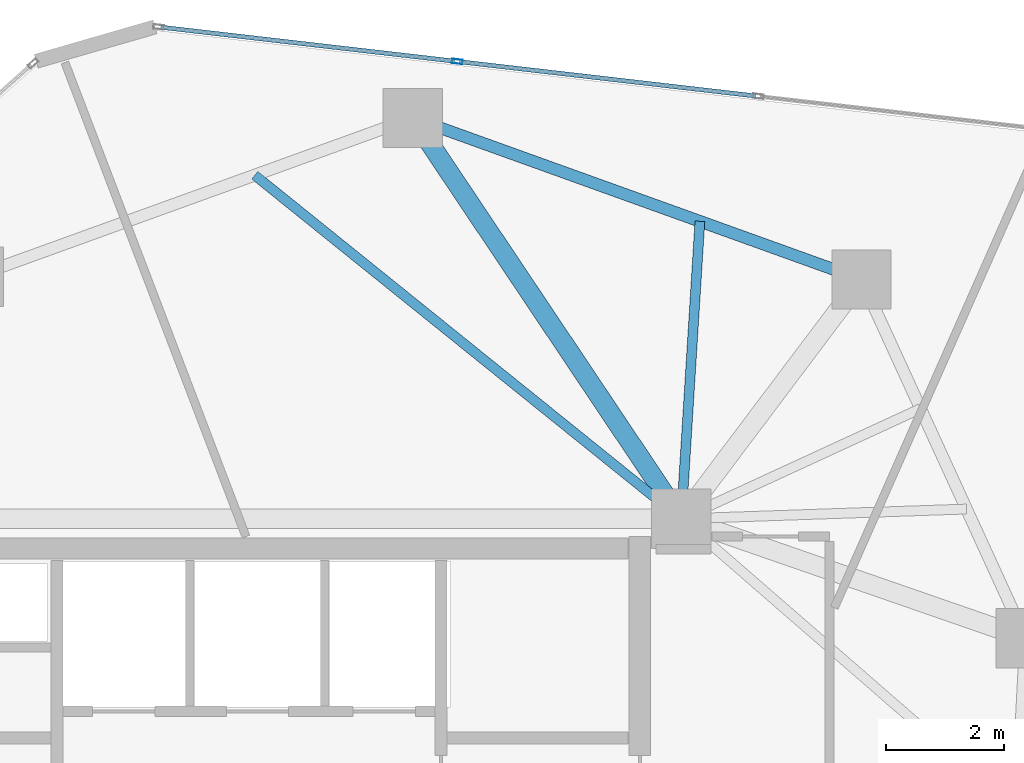
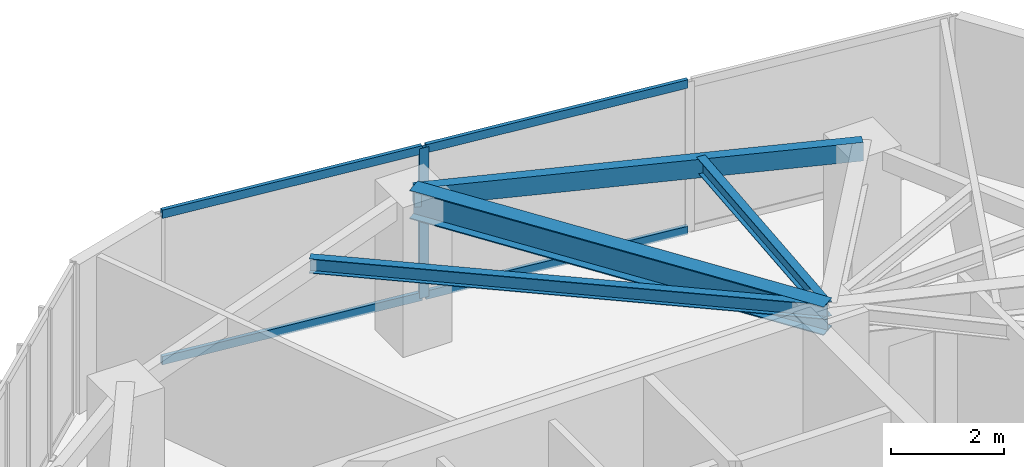
# One storey, part 13 of 19: 5 members, 4 beams, 1 element without a shape of its own.
"""IFC4 building model written with IfcOpenShell, lengths in metres."""

from ifc_helpers import new_model, si_unit, direction, frame, origin, origin_2d, place, context, subcontext, project, spatial, hollow_rectangle, i_section, extrude, source, transform, mapped, material, layer, layer_set, material_profile, profile_set, type_object, type_shapes, element, aggregate, save


model = new_model("IFC4")

# Units and contexts
model_context = context("Model", 3, precision=1e-05, world=origin(), true_north=direction((0.0, 1.0)))
body_context = subcontext(model_context, "Body", "Model", "MODEL_VIEW")
ifc_project = project(units=[si_unit("LENGTHUNIT", "METRE"), si_unit("AREAUNIT", "SQUARE_METRE"), si_unit("VOLUMEUNIT", "CUBIC_METRE"), si_unit("PLANEANGLEUNIT", "RADIAN"), si_unit("MASSUNIT", "GRAM", prefix="KILO")], contexts=[model_context])

# Site, building, storey
site_placement = place(None, origin())
site = spatial("IfcSite", under=ifc_project, at=site_placement, CompositionType="ELEMENT")
building_placement = place(site_placement, origin())
building = spatial("IfcBuilding", under=site, at=building_placement, Name="Talar Marvaseh", CompositionType="ELEMENT")
storey_placement = place(building_placement, frame((0.0, 0.0, 222.199951171875)))
storey = spatial("IfcBuildingStorey", under=building, at=storey_placement, Name="L58", CompositionType="ELEMENT", Elevation=222.199951171875)

# Beams
ifc_material_1 = material(Name="Steel S355", Category="steel")
ifc_material_profile_1 = material_profile(ifc_material_1, hollow_rectangle(XDim=0.199951171875, YDim=0.39990234375, WallThickness=0.013916015625, at=origin_2d()), Name="RHS400x200x14")
ifc_profile_set_1 = profile_set([ifc_material_profile_1], Name="Steel S355")
beam_type_1 = type_object("IfcBeamType", Name="Zone 3 Perimeter Spandrel Beam RHS400x200x14", PredefinedType="SPANDREL", material=ifc_profile_set_1)
beam_1_placement = place(storey_placement, frame((28.76611328125, 43.66796875, 3.030029296875), z_axis=(0.940923359576, -0.3386195969, 0.0), x_axis=(0.3386195969, 0.940923359576, 0.0)))
element("IfcBeam", 1, at=beam_1_placement, inside=storey, type_object=beam_type_1, Name="L58 Zone 3 Perimeter Spandrel Beam RHS400x200x14", PredefinedType="SPANDREL", context=body_context, shape_type="SweptSolid", body=[
    extrude(hollow_rectangle(XDim=0.199951171875, YDim=0.39990234375, WallThickness=0.013916015625, at=origin_2d()), origin(), (0.0, 0.0, 1.0), 8.050537109375),
])
ifc_material_profile_2 = material_profile(ifc_material_1, i_section(OverallWidth=0.324951171875, OverallDepth=0.615966796875, WebThickness=0.013916015625, FlangeThickness=0.021484375, at=origin_2d()), Name="W610x174")
ifc_profile_set_2 = profile_set([ifc_material_profile_2], Name="Steel S355")
beam_type_2 = type_object("IfcBeamType", Name="Zone 3 Radial Floor Girder W610x174", PredefinedType="BEAM", material=ifc_profile_set_2)
beam_2_placement = place(storey_placement, frame((28.76611328125, 43.66796875, 2.922119140625), z_axis=(0.556559209375, -0.830807948, 0.0), x_axis=(0.830807948, 0.556559209375, 0.0)))
element("IfcBeam", 2, at=beam_2_placement, inside=storey, type_object=beam_type_2, Name="L58 Zone 3 Radial Floor Girder W610x174", PredefinedType="BEAM", context=body_context, shape_type="SweptSolid", body=[
    extrude(i_section(OverallWidth=0.324951171875, OverallDepth=0.615966796875, WebThickness=0.013916015625, FlangeThickness=0.021484375, at=origin_2d()), origin(), (0.0, 0.0, 1.0), 8.146484375),
])
ifc_material_profile_3 = material_profile(ifc_material_1, i_section(OverallWidth=0.166015625, OverallDepth=0.31298828125, WebThickness=0.006591796875, FlangeThickness=0.01123046875, at=origin_2d()), Name="W310x45")
ifc_profile_set_3 = profile_set([ifc_material_profile_3], Name="Steel S355")
beam_type_3 = type_object("IfcBeamType", Name="Zone 3 Secondary Floor Joist W310x45", PredefinedType="JOIST", material=ifc_profile_set_3)
beam_3_placement = place(storey_placement, frame((33.614013671875, 41.92333984375, 3.073486328125), z_axis=(-0.062378286155, -0.998052578483, 0.0), x_axis=(0.998052578483, -0.062378286155, 0.0)))
element("IfcBeam", 3, at=beam_3_placement, inside=storey, type_object=beam_type_3, Name="L58 Zone 3 Secondary Floor Joist W310x45", PredefinedType="JOIST", context=body_context, shape_type="SweptSolid", body=[
    extrude(i_section(OverallWidth=0.166015625, OverallDepth=0.31298828125, WebThickness=0.006591796875, FlangeThickness=0.01123046875, at=origin_2d()), origin(), (0.0, 0.0, 1.0), 5.033203125),
])
beam_4_placement = place(storey_placement, frame((26.096923828125, 42.702392578125, 3.073486328125), z_axis=(0.778755341842, -0.627327759272, 0.0), x_axis=(0.627327759272, 0.778755341842, 0.0)))
element("IfcBeam", 4, at=beam_4_placement, inside=storey, type_object=beam_type_3, Name="L58 Zone 3 Secondary Floor Joist W310x45", PredefinedType="JOIST", context=body_context, shape_type="SweptSolid", body=[
    extrude(i_section(OverallWidth=0.166015625, OverallDepth=0.31298828125, WebThickness=0.006591796875, FlangeThickness=0.01123046875, at=origin_2d()), origin(), (0.0, 0.0, 1.0), 9.24951171875),
])

# Curtain wall, members
ifc_material_2 = material(Name="Architectural Aluminium", Category="aluminium")
ifc_layer = layer(ifc_material_2, 0.18994140625)
ifc_layer_set = layer_set([ifc_layer], Name="Architectural Aluminium")
curtain_wall_type = type_object("IfcCurtainWallType", Name="Unitised Solar Atelier Curtain Wall Z3", PredefinedType="NOTDEFINED", material=ifc_layer_set)
curtain_wall_placement = place(storey_placement, origin())
curtain_wall = element("IfcCurtainWall", 5, at=curtain_wall_placement, inside=storey, type_object=curtain_wall_type, Name="L58 Unitised Solar Atelier Curtain Wall Z3", PredefinedType="NOTDEFINED")
ifc_material_profile_4 = material_profile(ifc_material_2, hollow_rectangle(XDim=0.074951171875, YDim=0.179931640625, WallThickness=0.0048828125, at=origin_2d()), Name="RHS180x75x5")
ifc_profile_set_4 = profile_set([ifc_material_profile_4], Name="Architectural Aluminium")
member_type_1 = type_object("IfcMemberType", Name="Unitised Curtain Wall Standard Mullion RHS180x75x5", PredefinedType="MULLION", material=ifc_profile_set_4)
shared_shape_1 = source(origin(), body_context, "Body", "SweptSolid", [
    extrude(hollow_rectangle(XDim=0.074951171875, YDim=0.179931640625, WallThickness=0.0048828125, at=origin_2d()), origin(), (0.0, 0.0, 1.0), 3.22998046875),
])
type_shapes(member_type_1, [shared_shape_1])
member_1_placement = place(storey_placement, frame((29.51708984375, 44.62109375, 0.0), z_axis=(0.0, 0.0, 1.0), x_axis=(0.114870315646, 0.993380496378, 0.0)))
member_1 = element("IfcMember", 6, at=member_1_placement, type_object=member_type_1, Name="CW-Z3 mullion 2", PredefinedType="MULLION", context=body_context, shape_type="MappedRepresentation", body=[
    mapped(shared_shape_1, transform((0.0, 0.0, 0.0), x_axis=(1.0, 0.0, 0.0), y_axis=(0.0, 1.0, 0.0), z_axis=(0.0, 0.0, 1.0), scale=1.0)),
])
ifc_material_profile_5 = material_profile(ifc_material_2, hollow_rectangle(XDim=0.074951171875, YDim=0.179931640625, WallThickness=0.0048828125, at=origin_2d()), Name="RHS180x75x5")
ifc_profile_set_5 = profile_set([ifc_material_profile_5], Name="Architectural Aluminium")
member_type_2 = type_object("IfcMemberType", Name="Unitised Curtain Wall Transom RHS180x75x5", PredefinedType="USERDEFINED", material=ifc_profile_set_5)
shared_shape_2 = source(origin(), body_context, "Body", "SweptSolid", [
    extrude(hollow_rectangle(XDim=0.074951171875, YDim=0.179931640625, WallThickness=0.0048828125, at=origin_2d()), origin(), (0.0, 0.0, 1.0), 5.00048828125),
])
member_2_placement = place(storey_placement, frame((24.512451171875, 45.199951171875, 0.03759765625), z_axis=(0.993378965932, -0.114883549928, 0.0), x_axis=(0.114883549928, 0.993378965932, 0.0)))
member_2 = element("IfcMember", 7, at=member_2_placement, type_object=member_type_2, Name="CW-Z3 transom 1.1", ObjectType="TRANSOM", PredefinedType="USERDEFINED", context=body_context, shape_type="MappedRepresentation", body=[
    mapped(shared_shape_2, transform((0.0, 0.0, 0.0), x_axis=(1.0, 0.0, 0.0), y_axis=(0.0, 1.0, 0.0), z_axis=(0.0, 0.0, 1.0), scale=1.0)),
])
member_3_placement = place(storey_placement, frame((24.512451171875, 45.199951171875, 3.192626953125), z_axis=(0.993378965932, -0.114883549928, 0.0), x_axis=(0.114883549928, 0.993378965932, 0.0)))
member_3 = element("IfcMember", 8, at=member_3_placement, type_object=member_type_2, Name="CW-Z3 transom 1.2", ObjectType="TRANSOM", PredefinedType="USERDEFINED", context=body_context, shape_type="MappedRepresentation", body=[
    mapped(shared_shape_2, transform((0.0, 0.0, 0.0), x_axis=(1.0, 0.0, 0.0), y_axis=(0.0, 1.0, 0.0), z_axis=(0.0, 0.0, 1.0), scale=1.0)),
])
shared_shape_3 = source(origin(), body_context, "Body", "SweptSolid", [
    extrude(hollow_rectangle(XDim=0.074951171875, YDim=0.179931640625, WallThickness=0.0048828125, at=origin_2d()), origin(), (0.0, 0.0, 1.0), 5.038330078125),
])
type_shapes(member_type_2, [shared_shape_2, shared_shape_3])
member_4_placement = place(storey_placement, frame((29.55419921875, 44.616943359375, 0.03759765625), z_axis=(0.9933779151, -0.114892635937, 0.0), x_axis=(0.114892635937, 0.9933779151, 0.0)))
member_4 = element("IfcMember", 9, at=member_4_placement, type_object=member_type_2, Name="CW-Z3 transom 2.1", ObjectType="TRANSOM", PredefinedType="USERDEFINED", context=body_context, shape_type="MappedRepresentation", body=[
    mapped(shared_shape_3, transform((0.0, 0.0, 0.0), x_axis=(1.0, 0.0, 0.0), y_axis=(0.0, 1.0, 0.0), z_axis=(0.0, 0.0, 1.0), scale=1.0)),
])
member_5_placement = place(storey_placement, frame((29.55419921875, 44.616943359375, 3.192626953125), z_axis=(0.9933779151, -0.114892635937, 0.0), x_axis=(0.114892635937, 0.9933779151, 0.0)))
member_5 = element("IfcMember", 10, at=member_5_placement, type_object=member_type_2, Name="CW-Z3 transom 2.2", ObjectType="TRANSOM", PredefinedType="USERDEFINED", context=body_context, shape_type="MappedRepresentation", body=[
    mapped(shared_shape_3, transform((0.0, 0.0, 0.0), x_axis=(1.0, 0.0, 0.0), y_axis=(0.0, 1.0, 0.0), z_axis=(0.0, 0.0, 1.0), scale=1.0)),
])
aggregate(curtain_wall, [member_1, member_2, member_3, member_4, member_5])

save(model, "model.ifc")
